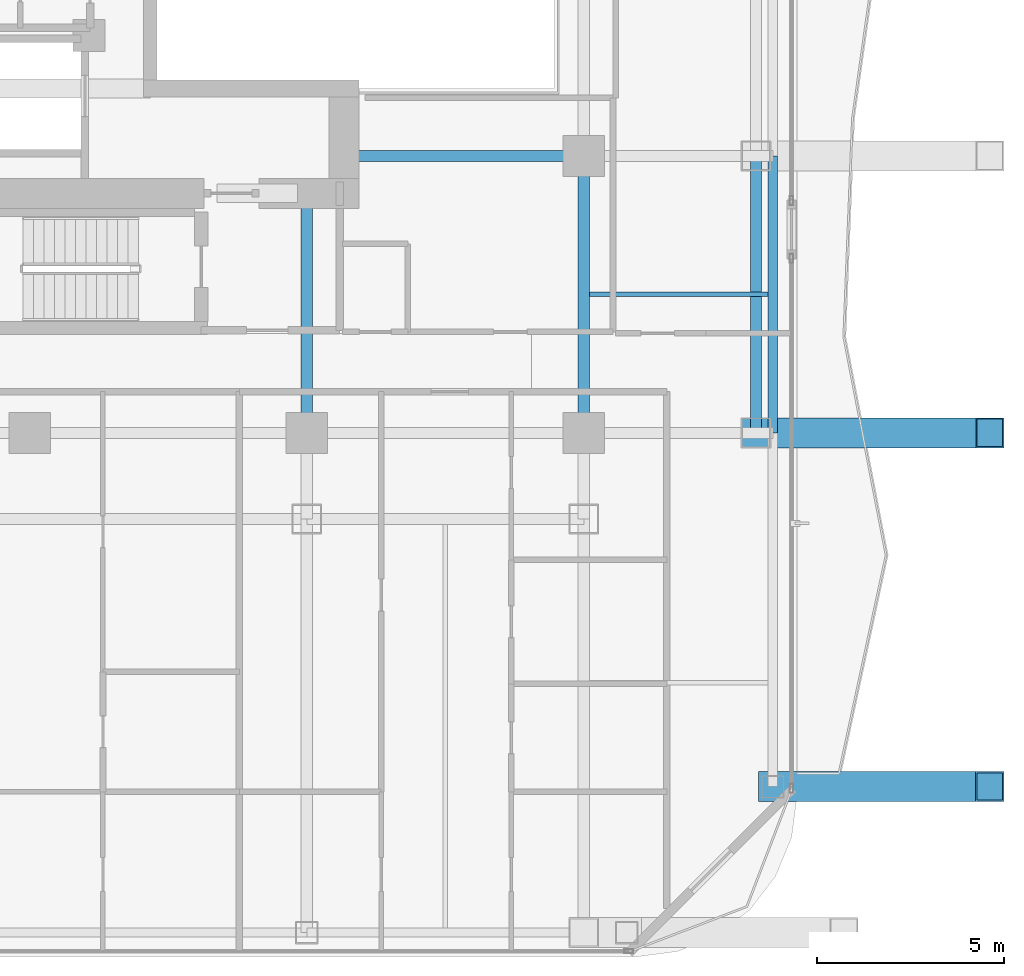
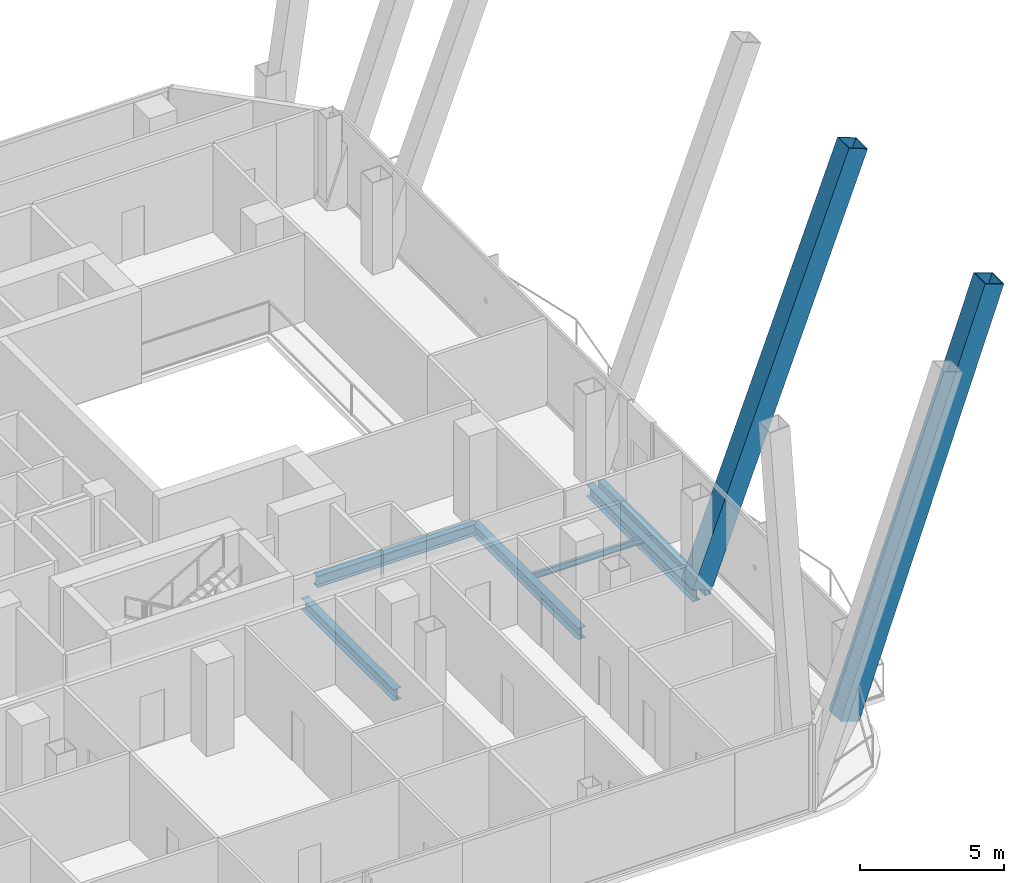
# One storey, part 11 of 27: 6 beams, 2 members.
"""IFC4 building model written with IfcOpenShell, lengths in metres."""

from ifc_helpers import new_model, si_unit, direction, frame, origin, origin_2d, place, context, subcontext, project, spatial, hollow_rectangle, i_section, extrude, material, material_profile, profile_set, type_object, element, save


model = new_model("IFC4")

# Units and contexts
model_context = context("Model", 3, precision=1e-05, world=origin(), true_north=direction((0.0, 1.0)))
body_context = subcontext(model_context, "Body", "Model", "MODEL_VIEW")
ifc_project = project(units=[si_unit("LENGTHUNIT", "METRE"), si_unit("AREAUNIT", "SQUARE_METRE"), si_unit("VOLUMEUNIT", "CUBIC_METRE"), si_unit("PLANEANGLEUNIT", "RADIAN"), si_unit("MASSUNIT", "GRAM", prefix="KILO")], contexts=[model_context])

# Site, building, storey
site_placement = place(None, origin())
site = spatial("IfcSite", under=ifc_project, at=site_placement, CompositionType="ELEMENT")
building_placement = place(site_placement, origin())
building = spatial("IfcBuilding", under=site, at=building_placement, Name="Khorvyn Point Tower", CompositionType="ELEMENT")
storey_placement = place(building_placement, frame((0.0, 0.0, 203.10009765625)))
storey = spatial("IfcBuildingStorey", under=building, at=storey_placement, Name="L50", CompositionType="ELEMENT", Elevation=203.10009765625)

# Beams
ifc_material_1 = material(Name="Steel S355", Category="steel")
ifc_material_profile_1 = material_profile(ifc_material_1, i_section(OverallWidth=0.125, OverallDepth=0.25, WebThickness=0.006103515625, FlangeThickness=0.009033203125, at=origin_2d()))
ifc_profile_set_1 = profile_set([ifc_material_profile_1], Name="Steel S355 H250x125x6x9")
beam_type_1 = type_object("IfcBeamType", Name="Steel S355 Joist H250x125x6x9", PredefinedType="JOIST", material=ifc_profile_set_1)
beam_1_placement = place(storey_placement, frame((14.949951171875, -11.10009765625, -0.34521484375), z_axis=(1.0, 0.0, 0.0), x_axis=(0.0, 1.0, 0.0)))
element("IfcBeam", 1, at=beam_1_placement, inside=storey, type_object=beam_type_1, Name="Beam", PredefinedType="JOIST", context=body_context, shape_type="SweptSolid", body=[
    extrude(i_section(OverallWidth=0.125, OverallDepth=0.25, WebThickness=0.006103515625, FlangeThickness=0.009033203125, at=origin_2d()), origin(), (0.0, 0.0, 1.0), 4.775146484375),
])
ifc_material_profile_2 = material_profile(ifc_material_1, i_section(OverallWidth=0.300048828125, OverallDepth=0.488037109375, WebThickness=0.010986328125, FlangeThickness=0.01806640625, at=origin_2d()))
ifc_profile_set_2 = profile_set([ifc_material_profile_2], Name="Steel S355 H488x300x11x18")
beam_type_2 = type_object("IfcBeamType", Name="Steel S355 Spandrel H488x300x11x18", PredefinedType="SPANDREL", material=ifc_profile_set_2)
beam_2_placement = place(storey_placement, frame((8.39990234375, -7.39990234375, -0.464111328125), z_axis=(1.0, 0.0, 0.0), x_axis=(0.0, 1.0, 0.0)))
element("IfcBeam", 2, at=beam_2_placement, inside=storey, type_object=beam_type_2, Name="Beam", PredefinedType="SPANDREL", context=body_context, shape_type="SweptSolid", body=[
    extrude(i_section(OverallWidth=0.300048828125, OverallDepth=0.488037109375, WebThickness=0.010986328125, FlangeThickness=0.01806640625, at=origin_2d()), origin(), (0.0, 0.0, 1.0), 6.400146484375),
])
beam_3_placement = place(storey_placement, frame((14.800048828125, -14.800048828125, -0.464111328125), z_axis=(0.0, 1.0, 0.0), x_axis=(-1.0, 0.0, 0.0)))
element("IfcBeam", 3, at=beam_3_placement, inside=storey, type_object=beam_type_2, Name="Beam", PredefinedType="SPANDREL", context=body_context, shape_type="SweptSolid", body=[
    extrude(i_section(OverallWidth=0.300048828125, OverallDepth=0.488037109375, WebThickness=0.010986328125, FlangeThickness=0.01806640625, at=origin_2d()), origin(), (0.0, 0.0, 1.0), 7.400146484375),
])
beam_4_placement = place(storey_placement, frame((7.39990234375, -14.800048828125, -0.464111328125), z_axis=(0.0, 1.0, 0.0), x_axis=(-1.0, 0.0, 0.0)))
element("IfcBeam", 4, at=beam_4_placement, inside=storey, type_object=beam_type_2, Name="Beam", PredefinedType="SPANDREL", context=body_context, shape_type="SweptSolid", body=[
    extrude(i_section(OverallWidth=0.300048828125, OverallDepth=0.488037109375, WebThickness=0.010986328125, FlangeThickness=0.01806640625, at=origin_2d()), origin(), (0.0, 0.0, 1.0), 6.400146484375),
])
beam_5_placement = place(storey_placement, frame((19.39990234375, -14.800048828125, -0.464111328125), z_axis=(0.0, 1.0, 0.0), x_axis=(-1.0, 0.0, 0.0)))
element("IfcBeam", 5, at=beam_5_placement, inside=storey, type_object=beam_type_2, Name="Beam", PredefinedType="SPANDREL", context=body_context, shape_type="SweptSolid", body=[
    extrude(i_section(OverallWidth=0.300048828125, OverallDepth=0.488037109375, WebThickness=0.010986328125, FlangeThickness=0.01806640625, at=origin_2d()), origin(), (0.0, 0.0, 1.0), 7.400146484375),
])
ifc_material_profile_3 = material_profile(ifc_material_1, hollow_rectangle(XDim=0.25, YDim=0.39990234375, WallThickness=0.01611328125, at=origin_2d()))
ifc_profile_set_3 = profile_set([ifc_material_profile_3], Name="Steel S355 RHS400x250x16")
beam_type_3 = type_object("IfcBeamType", Name="Steel S355 Spandrel RHS400x250x16", PredefinedType="SPANDREL", material=ifc_profile_set_3)
beam_6_placement = place(storey_placement, frame((19.85009765625, -14.800048828125, -0.420166015625), z_axis=(0.0, 1.0, 0.0), x_axis=(-1.0, 0.0, 0.0)))
element("IfcBeam", 6, at=beam_6_placement, inside=storey, type_object=beam_type_3, Name="Beam", PredefinedType="SPANDREL", context=body_context, shape_type="SweptSolid", body=[
    extrude(hollow_rectangle(XDim=0.25, YDim=0.39990234375, WallThickness=0.01611328125, at=origin_2d()), origin(), (0.0, 0.0, 1.0), 7.400146484375),
])

# Members
ifc_material_2 = material(Name="Steel S450", Category="steel")
ifc_material_profile_4 = material_profile(ifc_material_2, hollow_rectangle(XDim=0.800048828125, YDim=0.800048828125, WallThickness=0.035888671875, at=origin_2d()))
ifc_profile_set_4 = profile_set([ifc_material_profile_4], Name="Steel S450 BOX800x800x36")
member_type = type_object("IfcMemberType", Name="Steel S450 Exoskeleton Structural Post BOX800x800x36", PredefinedType="POST", material=ifc_profile_set_4)
member_1_placement = place(storey_placement, frame((19.85009765625, -24.25, 0.0), z_axis=(0.331613602949, 0.0, 0.943415294735), x_axis=(0.0, 1.0, 0.0)))
element("IfcMember", 7, at=member_1_placement, inside=storey, type_object=member_type, Name="L50 to L54 Exoskeleton Transfer Post 06", PredefinedType="POST", context=body_context, shape_type="SweptSolid", body=[
    extrude(hollow_rectangle(XDim=0.800048828125, YDim=0.800048828125, WallThickness=0.035888671875, at=origin_2d()), origin(), (0.0, 0.0, 1.0), 17.48974609375),
])
member_2_placement = place(storey_placement, frame((19.39990234375, -14.800048828125, 0.0), z_axis=(0.35422706261, 0.0, 0.93515944529), x_axis=(0.0, 1.0, 0.0)))
element("IfcMember", 8, at=member_2_placement, inside=storey, type_object=member_type, Name="L50 to L54 Exoskeleton Transfer Post 10", PredefinedType="POST", context=body_context, shape_type="SweptSolid", body=[
    extrude(hollow_rectangle(XDim=0.800048828125, YDim=0.800048828125, WallThickness=0.035888671875, at=origin_2d()), origin(), (0.0, 0.0, 1.0), 17.64404296875),
])

save(model, "model.ifc")
